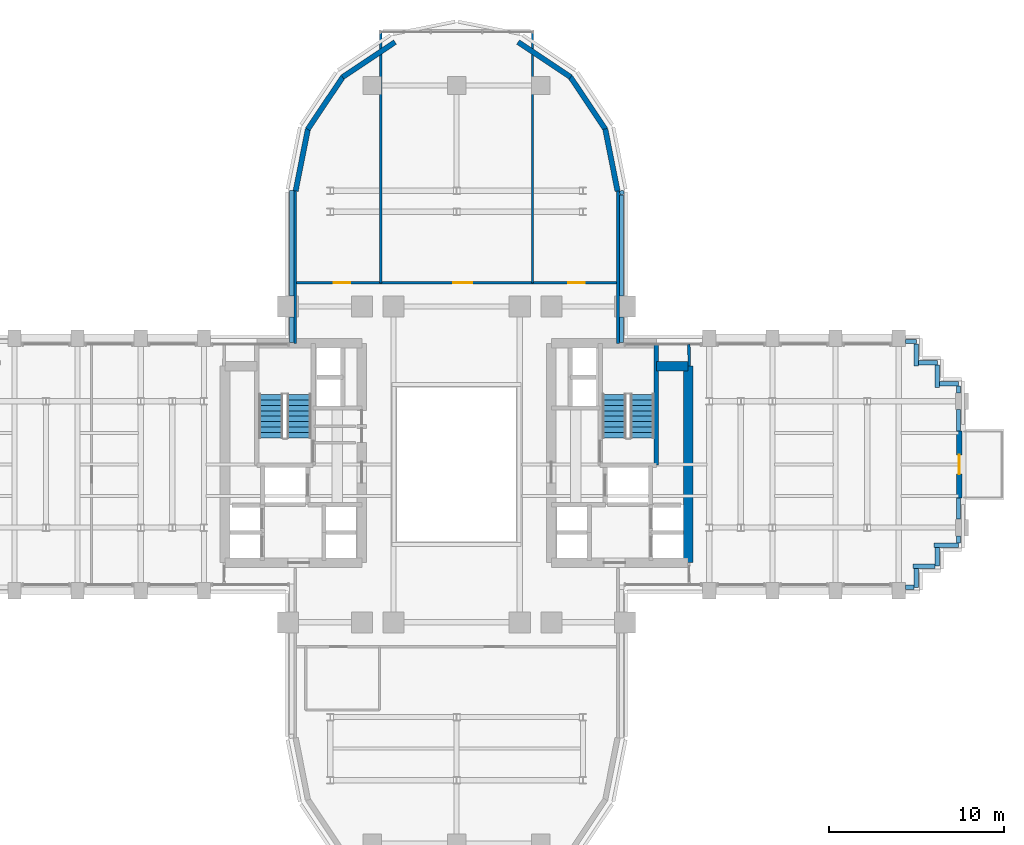
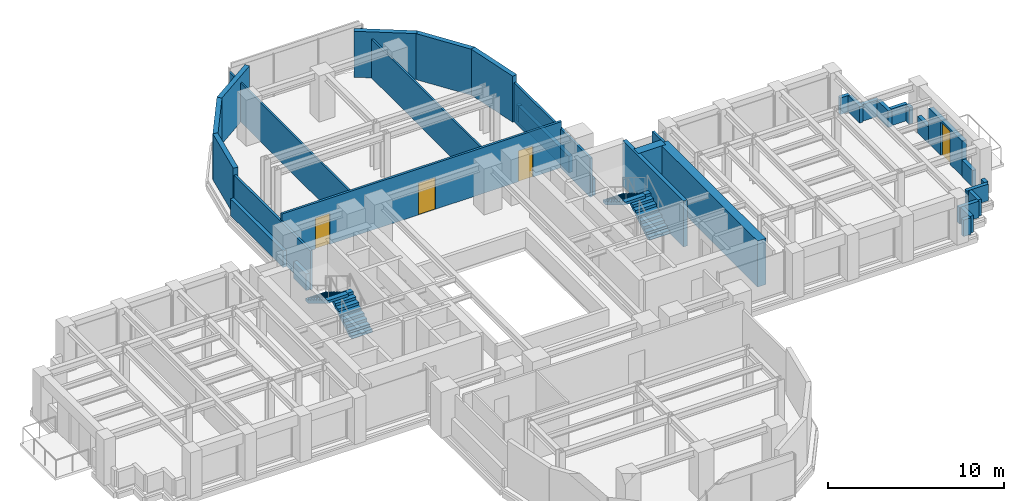
# One storey, part 12 of 15: 35 walls, 4 doors, 4 stair flights, 4 openings, 2 elements without a shape of their own.
"""IFC4 building model written with IfcOpenShell, lengths in metres."""

from ifc_helpers import new_model, si_unit, direction, frame, frame_2d, origin, place, context, subcontext, project, spatial, polyline, rectangle, outline, extrude, source, transform, mapped, material, layer, layer_set, type_object, element, fill, aggregate, save


model = new_model("IFC4")

# Units and contexts
model_context = context("Model", 3, precision=1e-05, world=origin(), true_north=direction((0.0, 1.0)))
body_context = subcontext(model_context, "Body", "Model", "MODEL_VIEW")
ifc_project = project(units=[si_unit("LENGTHUNIT", "METRE"), si_unit("AREAUNIT", "SQUARE_METRE"), si_unit("VOLUMEUNIT", "CUBIC_METRE"), si_unit("PLANEANGLEUNIT", "RADIAN"), si_unit("MASSUNIT", "GRAM", prefix="KILO")], contexts=[model_context])

# Site, building, storey
site_placement = place(None, origin())
site = spatial("IfcSite", under=ifc_project, at=site_placement, CompositionType="ELEMENT")
building_placement = place(site_placement, origin())
building = spatial("IfcBuilding", under=site, at=building_placement, Name="Keilestroom Media Tower", CompositionType="ELEMENT")
storey_placement = place(building_placement, frame((0.0, 0.0, 47.60009765625)))
storey = spatial("IfcBuildingStorey", under=building, at=storey_placement, Name="L11", CompositionType="ELEMENT", Elevation=47.60009765625)

# Walls
ifc_material_1 = material(Name="Precast concrete C40/50", Category="concrete")
ifc_layer_1 = layer(ifc_material_1, 0.300048828125)
ifc_layer_set_1 = layer_set([ifc_layer_1], Name="Precast concrete C40/50")
wall_type_1 = type_object("IfcWallType", Name="Exterior-Masonry-Spandrel-Wall-300", PredefinedType="SOLIDWALL", material=ifc_layer_set_1)
for number, where, z_axis, x_axis, name in (
    (1, (9.1748046875, 15.585205078125, 0.0), (0.0, 0.0, 1.0), (-0.195114232679, 0.980780523974, 0.0), "L11 Lobe Facet Precast Frame Wall 01"),
    (2, (8.48193359375, 19.097412109375, 0.0), (0.0, 0.0, 1.0), (-0.555574187116, 0.831466970246, 0.0), "L11 Lobe Facet Precast Frame Wall 02"),
):
    element("IfcWall", number, at=place(storey_placement, frame(where, z_axis=z_axis, x_axis=x_axis)), inside=storey, type_object=wall_type_1, Name=name, PredefinedType="SOLIDWALL", context=body_context, shape_type="SweptSolid", body=[
        extrude(rectangle(XDim=3.608642578125, YDim=0.300048828125, at=frame_2d((1.80419921875, 0.0))), origin(), (0.0, 0.0, 1.0), 3.199951171875),
    ])
for number, where, z_axis, x_axis, name in (
    (3, (6.497802734375, 22.0771484375, 0.0), (0.0, 0.0, 1.0), (-0.8314749531, 0.555562239868, 0.0), "L11 Lobe Facet Precast Frame Wall 03"),
    (4, (-3.510009765625, 24.073486328125, 0.0), (0.0, 0.0, 1.0), (-0.8314749531, -0.555562239868, 0.0), "L11 Lobe Facet Precast Frame Wall 04"),
):
    element("IfcWall", number, at=place(storey_placement, frame(where, z_axis=z_axis, x_axis=x_axis)), inside=storey, type_object=wall_type_1, Name=name, PredefinedType="SOLIDWALL", context=body_context, shape_type="SweptSolid", body=[
        extrude(rectangle(XDim=3.59326171875, YDim=0.300048828125, at=frame_2d((1.796630859375, 0.0))), origin(), (0.0, 0.0, 1.0), 3.199951171875),
    ])
for number, where, z_axis, x_axis, name in (
    (5, (-6.47705078125, 22.097900390625, 0.0), (0.0, 0.0, 1.0), (-0.555574187116, -0.831466970246, 0.0), "L11 Lobe Facet Precast Frame Wall 05"),
    (6, (-8.470703125, 19.12451171875, 0.0), (0.0, 0.0, 1.0), (-0.195114232679, -0.980780523974, 0.0), "L11 Lobe Facet Precast Frame Wall 06"),
):
    element("IfcWall", number, at=place(storey_placement, frame(where, z_axis=z_axis, x_axis=x_axis)), inside=storey, type_object=wall_type_1, Name=name, PredefinedType="SOLIDWALL", context=body_context, shape_type="SweptSolid", body=[
        extrude(rectangle(XDim=3.608642578125, YDim=0.300048828125, at=frame_2d((1.80419921875, 0.0))), origin(), (0.0, 0.0, 1.0), 3.199951171875),
    ])

# Wall, opening, door
wall_1_placement = place(storey_placement, frame((28.64990234375, -1.89990234375, 0.0), z_axis=(0.0, 0.0, 1.0), x_axis=(0.0, 1.0, 0.0)))
wall_1 = element("IfcWall", 7, at=wall_1_placement, inside=storey, type_object=wall_type_1, Name="L11 Terrace Threshold Wall L11-E", PredefinedType="SOLIDWALL", context=body_context, shape_type="SweptSolid", body=[
    extrude(rectangle(XDim=3.7998046875, YDim=0.300048828125, at=frame_2d((1.89990234375, 0.0))), origin(), (0.0, 0.0, 1.0), 2.449951171875),
])
opening_1_placement = place(wall_1_placement, frame((1.35009765625, 0.0, 0.0)))
opening_1 = element("IfcOpeningElement", 8, at=opening_1_placement, cuts=wall_1, Name="Opening DE-02", PredefinedType="OPENING", context=body_context, shape_type="SweptSolid", body=[
    extrude(rectangle(XDim=1.10009765625, YDim=2.300048828125, at=frame_2d((0.550048828125, 1.14990234375))), frame((0.0, 0.16015625, 0.0), z_axis=(0.0, -1.0, 0.0), x_axis=(1.0, 0.0, 0.0)), (0.0, 0.0, 1.0), 0.320068359375),
])
ifc_material_2 = material(Name="Thermally Broken Aluminium & Laminated Glass", Category="aluminium")
door_type_1 = type_object("IfcDoorType", Name="Exterior-Entrance-And-Terrace-Door-DE-02", OperationType="NOTDEFINED", PredefinedType="DOOR", material=ifc_material_2)
shared_shape_1 = source(origin(), body_context, "Body", "SweptSolid", [
    extrude(rectangle(XDim=1.10009765625, YDim=2.300048828125, at=frame_2d((0.550048828125, 1.14990234375))), frame((0.0, 0.02490234375, 0.0), z_axis=(0.0, -1.0, 0.0), x_axis=(1.0, 0.0, 0.0)), (0.0, 0.0, 1.0), 0.050048828125),
])
door_1_placement = place(opening_1_placement, frame((1.10009765625, 0.0, 0.0), z_axis=(0.0, 0.0, 1.0), x_axis=(-1.0, 0.0, 0.0)))
door_1 = element("IfcDoor", 9, at=door_1_placement, inside=storey, type_object=door_type_1, Name="L11 Terrace Access Door DE-02 L11-E", OperationType="SINGLE_SWING_RIGHT", OverallHeight=2.300048828125, OverallWidth=1.10009765625, PredefinedType="DOOR", context=body_context, shape_type="MappedRepresentation", body=[
    mapped(shared_shape_1, transform((0.0, 0.0, 0.0), x_axis=(1.0, 0.0, 0.0), y_axis=(0.0, 1.0, 0.0), z_axis=(0.0, 0.0, 1.0), scale=1.0)),
])
fill(opening_1, door_1)

# Walls
ifc_material_3 = material(Name="Gypsum Plasterboard & Steel Stud", Category="steel")
ifc_layer_2 = layer(ifc_material_3, 0.1201171875)
ifc_layer_set_2 = layer_set([ifc_layer_2], Name="Gypsum Plasterboard & Steel Stud")
wall_type_2 = type_object("IfcWallType", Name="Interior-Partition-Wall-120", PredefinedType="PARTITIONING", material=ifc_layer_set_2)
for number, where, z_axis, x_axis, name in (
    (10, (-4.320068359375, 10.35009765625, 0.0), (0.0, 0.0, 1.0), (0.0, 1.0, 0.0), "L11 Interior Wall WP-L11-NL-VW"),
    (11, (4.320068359375, 10.35009765625, 0.0), (0.0, 0.0, 1.0), (0.0, 1.0, 0.0), "L11 Interior Wall WP-L11-NL-VE"),
):
    element("IfcWall", number, at=place(storey_placement, frame(where, z_axis=z_axis, x_axis=x_axis)), inside=storey, type_object=wall_type_2, Name=name, PredefinedType="PARTITIONING", context=body_context, shape_type="SweptSolid", body=[
        extrude(rectangle(XDim=14.2998046875, YDim=0.1201171875, at=frame_2d((7.14990234375, 0.0))), origin(), (0.0, 0.0, 1.0), 2.7099609375),
    ])

# Wall, openings, doors
ifc_layer_3 = layer(ifc_material_3, 0.14990234375)
ifc_layer_set_3 = layer_set([ifc_layer_3], Name="Gypsum Plasterboard & Steel Stud")
wall_type_3 = type_object("IfcWallType", Name="Interior-Partition-Wall-150", PredefinedType="PARTITIONING", material=ifc_layer_set_3)
wall_2_placement = place(storey_placement, frame((-9.199951171875, 10.35009765625, 0.0), z_axis=(0.0, 0.0, 1.0), x_axis=(1.0, 0.0, 0.0)))
wall_2 = element("IfcWall", 12, at=wall_2_placement, inside=storey, type_object=wall_type_3, Name="L11 Interior Wall WP-L11-NL-BASE", PredefinedType="PARTITIONING", context=body_context, shape_type="SweptSolid", body=[
    extrude(rectangle(XDim=18.39990234375, YDim=0.14990234375, at=frame_2d((9.199951171875, 0.0))), origin(), (0.0, 0.0, 1.0), 3.199951171875),
])
opening_2_placement = place(wall_2_placement, frame((2.199951171875, 0.0, 0.0)))
opening_2 = element("IfcOpeningElement", 13, at=opening_2_placement, cuts=wall_2, Name="Opening DI-03", PredefinedType="OPENING", context=body_context, shape_type="SweptSolid", body=[
    extrude(rectangle(XDim=0.949951171875, YDim=2.14990234375, at=frame_2d((0.47509765625, 1.074951171875))), frame((0.0, 0.0849609375, 0.0), z_axis=(0.0, -1.0, 0.0), x_axis=(1.0, 0.0, 0.0)), (0.0, 0.0, 1.0), 0.169921875),
])
opening_3_placement = place(wall_2_placement, frame((9.0, 0.0, 0.0)))
opening_3 = element("IfcOpeningElement", 14, at=opening_3_placement, cuts=wall_2, Name="Opening DI-04", PredefinedType="OPENING", context=body_context, shape_type="SweptSolid", body=[
    extrude(rectangle(XDim=1.10009765625, YDim=2.199951171875, at=frame_2d((0.550048828125, 1.10009765625))), frame((0.0, 0.0849609375, 0.0), z_axis=(0.0, -1.0, 0.0), x_axis=(1.0, 0.0, 0.0)), (0.0, 0.0, 1.0), 0.169921875),
])
opening_4_placement = place(wall_2_placement, frame((15.550048828125, 0.0, 0.0)))
opening_4 = element("IfcOpeningElement", 15, at=opening_4_placement, cuts=wall_2, Name="Opening DI-03", PredefinedType="OPENING", context=body_context, shape_type="SweptSolid", body=[
    extrude(rectangle(XDim=0.949951171875, YDim=2.14990234375, at=frame_2d((0.47509765625, 1.074951171875))), frame((0.0, 0.0849609375, 0.0), z_axis=(0.0, -1.0, 0.0), x_axis=(1.0, 0.0, 0.0)), (0.0, 0.0, 1.0), 0.169921875),
])
ifc_material_4 = material(Name="Lacquered European Oak Leaf", Category="wood")
door_type_2 = type_object("IfcDoorType", Name="Interior-Room-And-Suite-Door-DI-03", OperationType="NOTDEFINED", PredefinedType="DOOR", material=ifc_material_4)
shared_shape_2 = source(origin(), body_context, "Body", "SweptSolid", [
    extrude(rectangle(XDim=0.949951171875, YDim=2.14990234375, at=frame_2d((0.47509765625, 1.074951171875))), frame((0.0, 0.02490234375, 0.0), z_axis=(0.0, -1.0, 0.0), x_axis=(1.0, 0.0, 0.0)), (0.0, 0.0, 1.0), 0.050048828125),
])
door_2_placement = place(opening_2_placement, origin())
door_2 = element("IfcDoor", 16, at=door_2_placement, inside=storey, type_object=door_type_2, Name="L11 Interior Door DI-L11-DNL-W", OperationType="SINGLE_SWING_LEFT", OverallHeight=2.14990234375, OverallWidth=0.949951171875, PredefinedType="DOOR", context=body_context, shape_type="MappedRepresentation", body=[
    mapped(shared_shape_2, transform((0.0, 0.0, 0.0), x_axis=(1.0, 0.0, 0.0), y_axis=(0.0, 1.0, 0.0), z_axis=(0.0, 0.0, 1.0), scale=1.0)),
])
fill(opening_2, door_2)
door_3_placement = place(opening_4_placement, origin())
door_3 = element("IfcDoor", 17, at=door_3_placement, inside=storey, type_object=door_type_2, Name="L11 Interior Door DI-L11-DNL-E", OperationType="SINGLE_SWING_LEFT", OverallHeight=2.14990234375, OverallWidth=0.949951171875, PredefinedType="DOOR", context=body_context, shape_type="MappedRepresentation", body=[
    mapped(shared_shape_2, transform((0.0, 0.0, 0.0), x_axis=(1.0, 0.0, 0.0), y_axis=(0.0, 1.0, 0.0), z_axis=(0.0, 0.0, 1.0), scale=1.0)),
])
fill(opening_4, door_3)
ifc_material_5 = material(Name="Acoustic Glazed Aluminium Leaf", Category="aluminium")
door_type_3 = type_object("IfcDoorType", Name="Interior-Room-And-Suite-Door-DI-04", OperationType="NOTDEFINED", PredefinedType="DOOR", material=ifc_material_5)
shared_shape_3 = source(origin(), body_context, "Body", "SweptSolid", [
    extrude(rectangle(XDim=1.10009765625, YDim=2.199951171875, at=frame_2d((0.550048828125, 1.10009765625))), frame((0.0, 0.02490234375, 0.0), z_axis=(0.0, -1.0, 0.0), x_axis=(1.0, 0.0, 0.0)), (0.0, 0.0, 1.0), 0.050048828125),
])
door_4_placement = place(opening_3_placement, origin())
door_4 = element("IfcDoor", 18, at=door_4_placement, inside=storey, type_object=door_type_3, Name="L11 Interior Door DI-L11-DNL-C", OperationType="SINGLE_SWING_RIGHT", OverallHeight=2.199951171875, OverallWidth=1.10009765625, PredefinedType="DOOR", context=body_context, shape_type="MappedRepresentation", body=[
    mapped(shared_shape_3, transform((0.0, 0.0, 0.0), x_axis=(1.0, 0.0, 0.0), y_axis=(0.0, 1.0, 0.0), z_axis=(0.0, 0.0, 1.0), scale=1.0)),
])
fill(opening_3, door_4)

# Walls
for number, where, z_axis, x_axis, name in (
    (19, (-9.199951171875, 6.89990234375, 0.0), (0.0, 0.0, 1.0), (0.0, 1.0, 0.0), "L11 Interior Wall WP-L11-NL-CHKW"),
    (20, (9.199951171875, 6.89990234375, 0.0), (0.0, 0.0, 1.0), (0.0, 1.0, 0.0), "L11 Interior Wall WP-L11-NL-CHKE"),
):
    element("IfcWall", number, at=place(storey_placement, frame(where, z_axis=z_axis, x_axis=x_axis)), inside=storey, type_object=wall_type_3, Name=name, PredefinedType="PARTITIONING", context=body_context, shape_type="SweptSolid", body=[
        extrude(rectangle(XDim=8.780029296875, YDim=0.14990234375, at=frame_2d((4.39013671875, 0.0))), origin(), (0.0, 0.0, 1.0), 2.7099609375),
    ])
wall_3_placement = place(storey_placement, frame((13.260009765625, 5.60009765625, 0.0), z_axis=(0.0, 0.0, 1.0), x_axis=(-0.016013571389, 0.999871774545, 0.0)))
element("IfcWall", 21, at=wall_3_placement, inside=storey, type_object=wall_type_3, Name="L11 Interior Wall WP-L11-EA-ENTN", PredefinedType="PARTITIONING", context=body_context, shape_type="SweptSolid", body=[
    extrude(rectangle(XDim=1.250244140625, YDim=0.14990234375, at=frame_2d((0.625, 0.0))), origin(), (0.0, 0.0, 1.0), 3.199951171875),
])
ifc_material_6 = material(Name="Concrete C70/85", Category="concrete")
ifc_layer_4 = layer(ifc_material_6, 0.550048828125)
ifc_layer_set_4 = layer_set([ifc_layer_4], Name="Concrete C70/85")
wall_type_4 = type_object("IfcWallType", Name="Reinforced-Concrete-Core-Shear-Wall-550", PredefinedType="SHEAR", material=ifc_layer_set_4)
wall_4_placement = place(storey_placement, frame((13.199951171875, -5.60009765625, 0.0), z_axis=(0.0, 0.0, 1.0), x_axis=(0.0, 1.0, 0.0)))
element("IfcWall", 22, at=wall_4_placement, inside=storey, type_object=wall_type_4, Name="L11 Core Shear Wall WL-L11-CORE-E-OUT", PredefinedType="SHEAR", context=body_context, shape_type="SweptSolid", body=[
    extrude(rectangle(XDim=11.2001953125, YDim=0.550048828125, at=frame_2d((5.60009765625, 0.0))), origin(), (0.0, 0.0, 1.0), 3.199951171875),
])
wall_5_placement = place(storey_placement, frame((11.381103515625, 5.60009765625, 0.0), z_axis=(0.0, 0.0, 1.0), x_axis=(1.0, 0.0, 0.0)))
element("IfcWall", 23, at=wall_5_placement, inside=storey, type_object=wall_type_4, Name="L11 Core Shear Wall WL-L11-CNE-N", PredefinedType="SHEAR", context=body_context, shape_type="SweptSolid", body=[
    extrude(rectangle(XDim=1.81884765625, YDim=0.550048828125, at=frame_2d((0.909423828125, 0.0))), origin(), (0.0, 0.0, 1.0), 3.199951171875),
])
ifc_material_7 = material(Name="Concrete C50/60", Category="concrete")
ifc_layer_5 = layer(ifc_material_7, 0.25)
ifc_layer_set_5 = layer_set([ifc_layer_5], Name="Concrete C50/60")
wall_type_5 = type_object("IfcWallType", Name="Reinforced-Concrete-Shaft-Wall-250", PredefinedType="SOLIDWALL", material=ifc_layer_set_5)
wall_6_placement = place(storey_placement, frame((11.381103515625, -0.041015625, 0.0), z_axis=(0.0, 0.0, 1.0), x_axis=(0.0, 1.0, 0.0)))
element("IfcWall", 24, at=wall_6_placement, inside=storey, type_object=wall_type_5, Name="L11 Core Shear Wall WL-L11-STW-E-FAR", PredefinedType="SOLIDWALL", context=body_context, shape_type="SweptSolid", body=[
    extrude(rectangle(XDim=6.94091796875, YDim=0.25, at=frame_2d((3.470458984375, 0.0))), origin(), (0.0, 0.0, 1.0), 3.199951171875),
])
ifc_layer_6 = layer(ifc_material_1, 0.239990234375)
ifc_layer_set_6 = layer_set([ifc_layer_6], Name="Precast concrete C40/50")
wall_type_6 = type_object("IfcWallType", Name="Roof-And-Terrace-Parapet-Wall-240", PredefinedType="PARAPET", material=ifc_layer_set_6)
wall_7_placement = place(storey_placement, frame((28.60009765625, -4.60009765625, 0.0), z_axis=(0.0, 0.0, 1.0), x_axis=(-1.0, 0.0, 0.0)))
element("IfcWall", 25, at=wall_7_placement, inside=storey, type_object=wall_type_6, Name="L11 Perimeter Edge Parapet Wall 01", PredefinedType="PARAPET", context=body_context, shape_type="SweptSolid", body=[
    extrude(rectangle(XDim=1.400146484375, YDim=0.239990234375, at=frame_2d((0.7001953125, 0.0))), origin(), (0.0, 0.0, 1.0), 1.14990234375),
])
wall_8_placement = place(storey_placement, frame((27.39990234375, -4.722900390625, 0.0), z_axis=(0.0, 0.0, 1.0), x_axis=(0.0, -1.0, 0.0)))
element("IfcWall", 26, at=wall_8_placement, inside=storey, type_object=wall_type_6, Name="L11 Perimeter Edge Parapet Wall 02", PredefinedType="PARAPET", context=body_context, shape_type="SweptSolid", body=[
    extrude(rectangle(XDim=1.0771484375, YDim=0.239990234375, at=frame_2d((0.53857421875, 0.0))), origin(), (0.0, 0.0, 1.0), 1.14990234375),
])
wall_9_placement = place(storey_placement, frame((27.277099609375, -5.800048828125, 0.0), z_axis=(0.0, 0.0, 1.0), x_axis=(-1.0, 0.0, 0.0)))
element("IfcWall", 27, at=wall_9_placement, inside=storey, type_object=wall_type_6, Name="L11 Perimeter Edge Parapet Wall 03", PredefinedType="PARAPET", context=body_context, shape_type="SweptSolid", body=[
    extrude(rectangle(XDim=1.277099609375, YDim=0.239990234375, at=frame_2d((0.638671875, 0.0))), origin(), (0.0, 0.0, 1.0), 1.14990234375),
])
wall_10_placement = place(storey_placement, frame((26.199951171875, -5.923095703125, 0.0), z_axis=(0.0, 0.0, 1.0), x_axis=(0.0, -1.0, 0.0)))
element("IfcWall", 28, at=wall_10_placement, inside=storey, type_object=wall_type_6, Name="L11 Perimeter Edge Parapet Wall 04", PredefinedType="PARAPET", context=body_context, shape_type="SweptSolid", body=[
    extrude(rectangle(XDim=1.076904296875, YDim=0.239990234375, at=frame_2d((0.53857421875, 0.0))), origin(), (0.0, 0.0, 1.0), 1.14990234375),
])
wall_11_placement = place(storey_placement, frame((26.076904296875, -7.0, 0.0), z_axis=(0.0, 0.0, 1.0), x_axis=(-1.0, 0.0, 0.0)))
element("IfcWall", 29, at=wall_11_placement, inside=storey, type_object=wall_type_6, Name="L11 Perimeter Edge Parapet Wall 05", PredefinedType="PARAPET", context=body_context, shape_type="SweptSolid", body=[
    extrude(rectangle(XDim=0.4990234375, YDim=0.239990234375, at=frame_2d((0.24951171875, 0.0))), origin(), (0.0, 0.0, 1.0), 1.14990234375),
])
wall_12_placement = place(storey_placement, frame((-9.39990234375, 6.952880859375, 0.0), z_axis=(0.0, 0.0, 1.0), x_axis=(0.0, 1.0, 0.0)))
element("IfcWall", 30, at=wall_12_placement, inside=storey, type_object=wall_type_6, Name="L11 Perimeter Edge Parapet Wall 26", PredefinedType="PARAPET", context=body_context, shape_type="SweptSolid", body=[
    extrude(rectangle(XDim=1.444091796875, YDim=0.239990234375, at=frame_2d((0.72216796875, 0.0))), origin(), (0.0, 0.0, 1.0), 1.14990234375),
])
wall_13_placement = place(storey_placement, frame((-9.39990234375, 9.60302734375, 0.0), z_axis=(0.0, 0.0, 1.0), x_axis=(0.0, 1.0, 0.0)))
element("IfcWall", 31, at=wall_13_placement, inside=storey, type_object=wall_type_6, Name="L11 Perimeter Edge Parapet Wall 27", PredefinedType="PARAPET", context=body_context, shape_type="SweptSolid", body=[
    extrude(rectangle(XDim=5.999755859375, YDim=0.239990234375, at=frame_2d((3.0, 0.0))), origin(), (0.0, 0.0, 1.0), 1.14990234375),
])
wall_14_placement = place(storey_placement, frame((9.395263671875, 15.604248046875, 0.0), z_axis=(0.0, 0.0, 1.0), x_axis=(0.194652052864, -0.980872355771, 0.0)))
element("IfcWall", 32, at=wall_14_placement, inside=storey, type_object=wall_type_6, Name="L11 Perimeter Edge Parapet Wall 28", PredefinedType="PARAPET", context=body_context, shape_type="SweptSolid", body=[
    extrude(rectangle(XDim=0.224609375, YDim=0.239990234375, at=frame_2d((0.1123046875, 0.0))), origin(), (0.0, 0.0, 1.0), 1.14990234375),
])
wall_15_placement = place(storey_placement, frame((9.39990234375, 15.357666015625, 0.0), z_axis=(0.0, 0.0, 1.0), x_axis=(0.0, -1.0, 0.0)))
element("IfcWall", 33, at=wall_15_placement, inside=storey, type_object=wall_type_6, Name="L11 Perimeter Edge Parapet Wall 29", PredefinedType="PARAPET", context=body_context, shape_type="SweptSolid", body=[
    extrude(rectangle(XDim=5.754638671875, YDim=0.239990234375, at=frame_2d((2.87744140625, 0.0))), origin(), (0.0, 0.0, 1.0), 1.14990234375),
])
wall_16_placement = place(storey_placement, frame((9.39990234375, 8.39697265625, 0.0), z_axis=(0.0, 0.0, 1.0), x_axis=(0.0, -1.0, 0.0)))
element("IfcWall", 34, at=wall_16_placement, inside=storey, type_object=wall_type_6, Name="L11 Perimeter Edge Parapet Wall 30", PredefinedType="PARAPET", context=body_context, shape_type="SweptSolid", body=[
    extrude(rectangle(XDim=1.444091796875, YDim=0.239990234375, at=frame_2d((0.72216796875, 0.0))), origin(), (0.0, 0.0, 1.0), 1.14990234375),
])
wall_17_placement = place(storey_placement, frame((25.577880859375, 7.0, 0.0), z_axis=(0.0, 0.0, 1.0), x_axis=(1.0, 0.0, 0.0)))
element("IfcWall", 35, at=wall_17_placement, inside=storey, type_object=wall_type_6, Name="L11 Perimeter Edge Parapet Wall 31", PredefinedType="PARAPET", context=body_context, shape_type="SweptSolid", body=[
    extrude(rectangle(XDim=0.6220703125, YDim=0.239990234375, at=frame_2d((0.31103515625, 0.0))), origin(), (0.0, 0.0, 1.0), 1.14990234375),
])
wall_18_placement = place(storey_placement, frame((26.199951171875, 6.876953125, 0.0), z_axis=(0.0, 0.0, 1.0), x_axis=(0.0, -1.0, 0.0)))
element("IfcWall", 36, at=wall_18_placement, inside=storey, type_object=wall_type_6, Name="L11 Perimeter Edge Parapet Wall 32", PredefinedType="PARAPET", context=body_context, shape_type="SweptSolid", body=[
    extrude(rectangle(XDim=1.27685546875, YDim=0.239990234375, at=frame_2d((0.638427734375, 0.0))), origin(), (0.0, 0.0, 1.0), 1.14990234375),
])
wall_19_placement = place(storey_placement, frame((26.322998046875, 5.800048828125, 0.0), z_axis=(0.0, 0.0, 1.0), x_axis=(1.0, 0.0, 0.0)))
element("IfcWall", 37, at=wall_19_placement, inside=storey, type_object=wall_type_6, Name="L11 Perimeter Edge Parapet Wall 33", PredefinedType="PARAPET", context=body_context, shape_type="SweptSolid", body=[
    extrude(rectangle(XDim=1.076904296875, YDim=0.239990234375, at=frame_2d((0.53857421875, 0.0))), origin(), (0.0, 0.0, 1.0), 1.14990234375),
])
wall_20_placement = place(storey_placement, frame((27.39990234375, 5.677001953125, 0.0), z_axis=(0.0, 0.0, 1.0), x_axis=(0.0, -1.0, 0.0)))
element("IfcWall", 38, at=wall_20_placement, inside=storey, type_object=wall_type_6, Name="L11 Perimeter Edge Parapet Wall 34", PredefinedType="PARAPET", context=body_context, shape_type="SweptSolid", body=[
    extrude(rectangle(XDim=1.277099609375, YDim=0.239990234375, at=frame_2d((0.638671875, 0.0))), origin(), (0.0, 0.0, 1.0), 1.14990234375),
])
wall_21_placement = place(storey_placement, frame((27.52294921875, 4.60009765625, 0.0), z_axis=(0.0, 0.0, 1.0), x_axis=(1.0, 0.0, 0.0)))
element("IfcWall", 39, at=wall_21_placement, inside=storey, type_object=wall_type_6, Name="L11 Perimeter Edge Parapet Wall 35", PredefinedType="PARAPET", context=body_context, shape_type="SweptSolid", body=[
    extrude(rectangle(XDim=1.0771484375, YDim=0.239990234375, at=frame_2d((0.53857421875, 0.0))), origin(), (0.0, 0.0, 1.0), 1.14990234375),
])
wall_22_placement = place(storey_placement, frame((28.60009765625, 4.47705078125, 0.0), z_axis=(0.0, 0.0, 1.0), x_axis=(0.0, -1.0, 0.0)))
element("IfcWall", 40, at=wall_22_placement, inside=storey, type_object=wall_type_6, Name="L11 Perimeter Edge Parapet Wall 36", PredefinedType="PARAPET", context=body_context, shape_type="SweptSolid", body=[
    extrude(rectangle(XDim=0.399169921875, YDim=0.239990234375, at=frame_2d((0.19970703125, 0.0))), origin(), (0.0, 0.0, 1.0), 1.14990234375),
])
for number, where, z_axis, x_axis, name in (
    (41, (28.60009765625, 3.1220703125, 0.0), (0.0, 0.0, 1.0), (0.0, -1.0, 0.0), "L11 Perimeter Edge Parapet Wall 37"),
    (42, (28.60009765625, -1.903076171875, 0.0), (0.0, 0.0, 1.0), (0.0, -1.0, 0.0), "L11 Perimeter Edge Parapet Wall 38"),
):
    element("IfcWall", number, at=place(storey_placement, frame(where, z_axis=z_axis, x_axis=x_axis)), inside=storey, type_object=wall_type_6, Name=name, PredefinedType="PARAPET", context=body_context, shape_type="SweptSolid", body=[
        extrude(rectangle(XDim=1.218994140625, YDim=0.239990234375, at=frame_2d((0.609375, 0.0))), origin(), (0.0, 0.0, 1.0), 1.14990234375),
    ])
wall_23_placement = place(storey_placement, frame((28.60009765625, -4.077880859375, 0.0), z_axis=(0.0, 0.0, 1.0), x_axis=(0.0, -1.0, 0.0)))
element("IfcWall", 43, at=wall_23_placement, inside=storey, type_object=wall_type_6, Name="L11 Perimeter Edge Parapet Wall 39", PredefinedType="PARAPET", context=body_context, shape_type="SweptSolid", body=[
    extrude(rectangle(XDim=0.399169921875, YDim=0.239990234375, at=frame_2d((0.19970703125, 0.0))), origin(), (0.0, 0.0, 1.0), 1.14990234375),
])

# Stair, stair flights
ifc_material_8 = material(Name="Concrete C45/55", Category="concrete")
stair_type = type_object("IfcStairType", Name="Enclosed-Dog-Leg-Stair-ST-CORE", PredefinedType="HALF_TURN_STAIR", material=ifc_material_8)
stair_1_placement = place(storey_placement, origin())
stair_1 = element("IfcStair", 44, at=stair_1_placement, inside=storey, type_object=stair_type, Name="L11 West Core Escape Stair ST-1", PredefinedType="HALF_TURN_STAIR")
stair_flight_type = type_object("IfcStairFlightType", Name="Precast-Concrete-Stair-Flight-Core-160", PredefinedType="STRAIGHT", material=ifc_material_1)
stair_flight_1_placement = place(storey_placement, frame((-8.97998046875, 1.5, 0.0), z_axis=(0.0, 0.0, 1.0), x_axis=(0.0, 1.0, 0.0)))
stair_flight_1 = element("IfcStairFlight", 45, at=stair_flight_1_placement, type_object=stair_flight_type, Name="ST-1 flight 1", NumberOfRisers=9, NumberOfTreads=8, PredefinedType="STRAIGHT", RiserHeight=0.188888889, TreadLength=0.312, context=body_context, shape_type="SweptSolid", body=[
    extrude(outline(polyline([(0.0, 0.0), (0.0, 0.18896484375), (0.31201171875, 0.18896484375), (0.31201171875, 0.377685546875), (0.6240234375, 0.377685546875), (0.6240234375, 0.566650390625), (0.93603515625, 0.566650390625), (0.93603515625, 0.755615234375), (1.248046875, 0.755615234375), (1.248046875, 0.9443359375), (1.56005859375, 0.9443359375), (1.56005859375, 1.13330078125), (1.8720703125, 1.13330078125), (1.8720703125, 1.322265625), (2.18408203125, 1.322265625), (2.18408203125, 1.51123046875), (2.49609375, 1.51123046875), (2.49609375, 1.699951171875), (2.49609375, 1.32421875), (0.308837890625, 0.0), (0.0, 0.0)])), frame((0.0, 0.68017578125, 0.0), z_axis=(0.0, -1.0, 0.0), x_axis=(1.0, 0.0, 0.0)), (0.0, 0.0, 1.0), 1.360107421875),
])
stair_flight_2_placement = place(storey_placement, frame((-10.580078125, 3.99609375, 1.699951171875), z_axis=(0.0, 0.0, 1.0), x_axis=(0.0, -1.0, 0.0)))
stair_flight_2 = element("IfcStairFlight", 46, at=stair_flight_2_placement, type_object=stair_flight_type, Name="ST-1 flight 2", NumberOfRisers=9, NumberOfTreads=8, PredefinedType="STRAIGHT", RiserHeight=0.188888889, TreadLength=0.312, context=body_context, shape_type="SweptSolid", body=[
    extrude(outline(polyline([(0.0, 0.0), (0.0, 0.18896484375), (0.31201171875, 0.18896484375), (0.31201171875, 0.377685546875), (0.6240234375, 0.377685546875), (0.6240234375, 0.566650390625), (0.93603515625, 0.566650390625), (0.93603515625, 0.755615234375), (1.248046875, 0.755615234375), (1.248046875, 0.9443359375), (1.56005859375, 0.9443359375), (1.56005859375, 1.13330078125), (1.8720703125, 1.13330078125), (1.8720703125, 1.322265625), (2.18408203125, 1.322265625), (2.18408203125, 1.51123046875), (2.49609375, 1.51123046875), (2.49609375, 1.699951171875), (2.49609375, 1.32421875), (0.308837890625, 0.0), (0.0, 0.0)])), frame((0.0, 0.68017578125, 0.0), z_axis=(0.0, -1.0, 0.0), x_axis=(1.0, 0.0, 0.0)), (0.0, 0.0, 1.0), 1.360107421875),
])
aggregate(stair_1, [stair_flight_1, stair_flight_2])

stair_2_placement = place(storey_placement, origin())
stair_2 = element("IfcStair", 47, at=stair_2_placement, inside=storey, type_object=stair_type, Name="L11 East Core Escape Stair ST-2", PredefinedType="HALF_TURN_STAIR")
stair_flight_3_placement = place(storey_placement, frame((10.580078125, 1.5, 0.0), z_axis=(0.0, 0.0, 1.0), x_axis=(0.0, 1.0, 0.0)))
stair_flight_3 = element("IfcStairFlight", 48, at=stair_flight_3_placement, type_object=stair_flight_type, Name="ST-2 flight 1", NumberOfRisers=9, NumberOfTreads=8, PredefinedType="STRAIGHT", RiserHeight=0.188888889, TreadLength=0.312, context=body_context, shape_type="SweptSolid", body=[
    extrude(outline(polyline([(0.0, 0.0), (0.0, 0.18896484375), (0.31201171875, 0.18896484375), (0.31201171875, 0.377685546875), (0.6240234375, 0.377685546875), (0.6240234375, 0.566650390625), (0.93603515625, 0.566650390625), (0.93603515625, 0.755615234375), (1.248046875, 0.755615234375), (1.248046875, 0.9443359375), (1.56005859375, 0.9443359375), (1.56005859375, 1.13330078125), (1.8720703125, 1.13330078125), (1.8720703125, 1.322265625), (2.18408203125, 1.322265625), (2.18408203125, 1.51123046875), (2.49609375, 1.51123046875), (2.49609375, 1.699951171875), (2.49609375, 1.32421875), (0.308837890625, 0.0), (0.0, 0.0)])), frame((0.0, 0.68017578125, 0.0), z_axis=(0.0, -1.0, 0.0), x_axis=(1.0, 0.0, 0.0)), (0.0, 0.0, 1.0), 1.360107421875),
])
stair_flight_4_placement = place(storey_placement, frame((8.97998046875, 3.99609375, 1.699951171875), z_axis=(0.0, 0.0, 1.0), x_axis=(0.0, -1.0, 0.0)))
stair_flight_4 = element("IfcStairFlight", 49, at=stair_flight_4_placement, type_object=stair_flight_type, Name="ST-2 flight 2", NumberOfRisers=9, NumberOfTreads=8, PredefinedType="STRAIGHT", RiserHeight=0.188888889, TreadLength=0.312, context=body_context, shape_type="SweptSolid", body=[
    extrude(outline(polyline([(0.0, 0.0), (0.0, 0.18896484375), (0.31201171875, 0.18896484375), (0.31201171875, 0.377685546875), (0.6240234375, 0.377685546875), (0.6240234375, 0.566650390625), (0.93603515625, 0.566650390625), (0.93603515625, 0.755615234375), (1.248046875, 0.755615234375), (1.248046875, 0.9443359375), (1.56005859375, 0.9443359375), (1.56005859375, 1.13330078125), (1.8720703125, 1.13330078125), (1.8720703125, 1.322265625), (2.18408203125, 1.322265625), (2.18408203125, 1.51123046875), (2.49609375, 1.51123046875), (2.49609375, 1.699951171875), (2.49609375, 1.32421875), (0.308837890625, 0.0), (0.0, 0.0)])), frame((0.0, 0.68017578125, 0.0), z_axis=(0.0, -1.0, 0.0), x_axis=(1.0, 0.0, 0.0)), (0.0, 0.0, 1.0), 1.360107421875),
])
aggregate(stair_2, [stair_flight_3, stair_flight_4])

save(model, "model.ifc")
